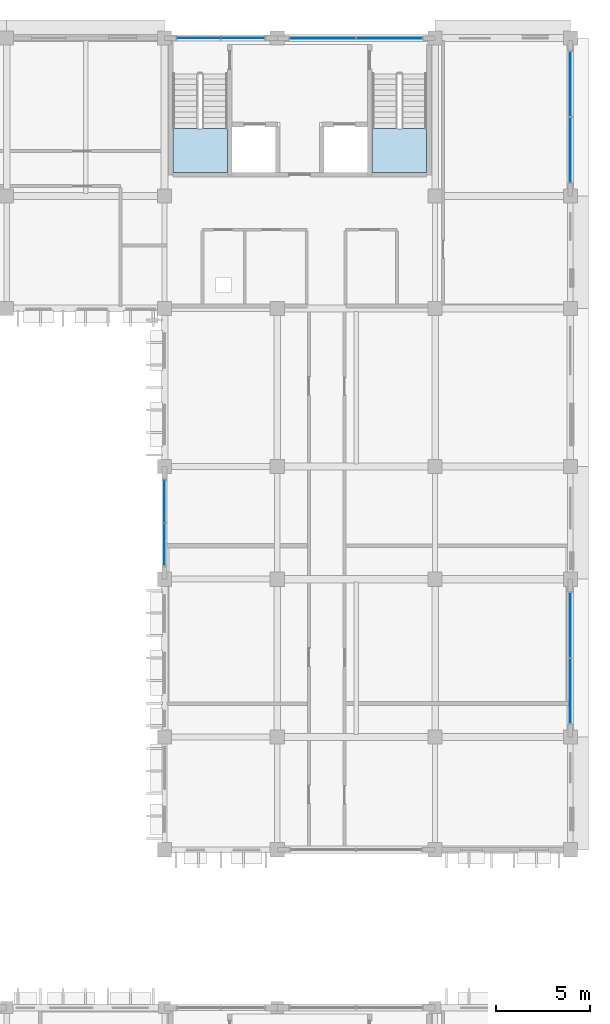
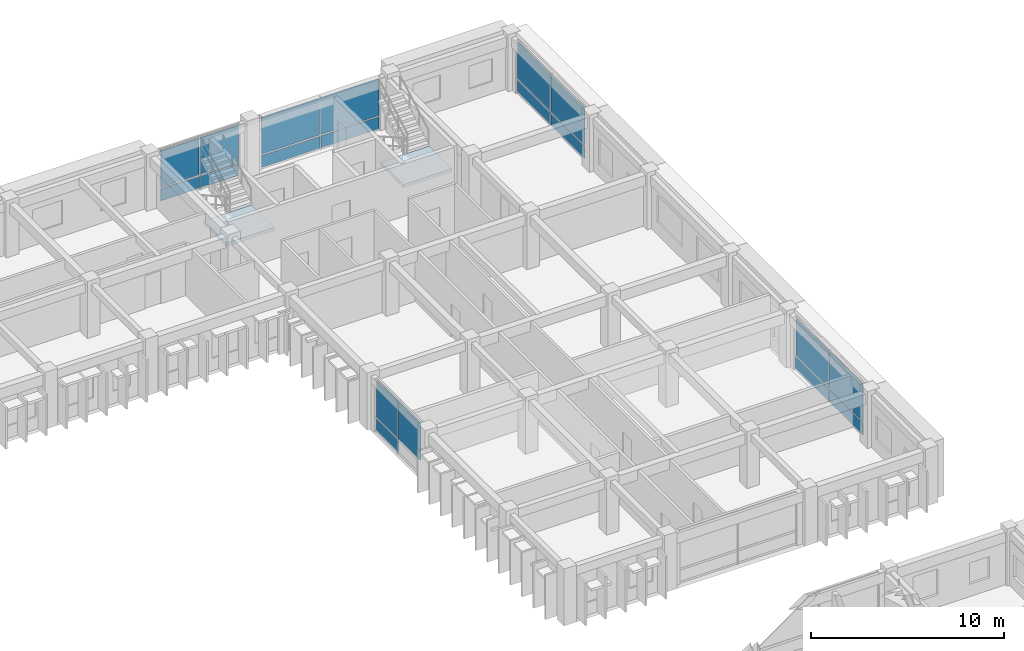
# One storey, part 45 of 88: 19 plates, 2 slabs, 7 elements without a shape of their own.
"""IFC4 building model written with IfcOpenShell, lengths in metres."""

from ifc_helpers import new_model, si_unit, direction, frame, origin, origin_2d, place, context, subcontext, project, spatial, polyline, rectangle, outline, extrude, material, layer, layer_set, type_object, element, aggregate, save


model = new_model("IFC4")

# Units and contexts
model_context = context("Model", 3, precision=1e-05, world=origin(), true_north=direction((0.0, 1.0)))
body_context = subcontext(model_context, "Body", "Model", "MODEL_VIEW")
ifc_project = project(units=[si_unit("LENGTHUNIT", "METRE"), si_unit("AREAUNIT", "SQUARE_METRE"), si_unit("VOLUMEUNIT", "CUBIC_METRE"), si_unit("PLANEANGLEUNIT", "RADIAN"), si_unit("MASSUNIT", "GRAM", prefix="KILO"), si_unit("THERMODYNAMICTEMPERATUREUNIT", "KELVIN")], contexts=[model_context])

# Site, building, storey
site_placement = place(None, origin())
site = spatial("IfcSite", under=ifc_project, at=site_placement, CompositionType="ELEMENT")
building_placement = place(site_placement, origin())
building = spatial("IfcBuilding", under=site, at=building_placement, Name="Thalorik Housing Commons", CompositionType="ELEMENT")
storey_placement = place(building_placement, frame((0.0, 0.0, 4.5)))
storey = spatial("IfcBuildingStorey", under=building, at=storey_placement, Name="L01", CompositionType="ELEMENT", Elevation=4.5)

# Curtain wall, plates
ifc_material_1 = material(Name="Anodised aluminium and solar-control low-E glass", Category="aluminium")
curtain_wall_type_1 = type_object("IfcCurtainWallType", Name="ARC-CW-LOUNGE", PredefinedType="USERDEFINED", material=ifc_material_1)
curtain_wall_1_placement = place(storey_placement, origin())
curtain_wall_1 = element("IfcCurtainWall", 1, at=curtain_wall_1_placement, inside=storey, type_object=curtain_wall_type_1, Name="L01 Curtain Wall CW-RES-L01-B-078", ObjectType="CURTAIN WALL", PredefinedType="USERDEFINED")
ifc_material_2 = material(Name="Cobalt blue enamelled aluminium spandrel panel", Category="aluminium")
ifc_layer_1 = layer(ifc_material_2, 0.0458984375, Name="Cobalt blue enamelled aluminium spandrel panel", Category="aluminium")
ifc_layer_set_1 = layer_set([ifc_layer_1], Name="Cobalt blue enamelled aluminium spandrel panel")
plate_type_1 = type_object("IfcPlateType", Name="ARC-CP-BLU-46", PredefinedType="CURTAIN_PANEL", material=ifc_layer_set_1)
plate_1_placement = place(storey_placement, frame((174.0, 88.85009765625, 0.080078125), z_axis=(0.0, 0.0, 1.0), x_axis=(0.0, 1.0, 0.0)))
plate_1 = element("IfcPlate", 2, at=plate_1_placement, type_object=plate_type_1, Name="CW-RES-L01-B-078 Spandrel Panel 1", PredefinedType="CURTAIN_PANEL", context=body_context, shape_type="SweptSolid", body=[
    extrude(rectangle(XDim=3.43994140625, YDim=0.0458984375, at=origin_2d()), origin(), (0.0, 0.0, 1.0), 0.760009765625),
])
plate_2_placement = place(storey_placement, frame((174.0, 92.35009765625, 0.080078125), z_axis=(0.0, 0.0, 1.0), x_axis=(0.0, 1.0, 0.0)))
plate_2 = element("IfcPlate", 3, at=plate_2_placement, type_object=plate_type_1, Name="CW-RES-L01-B-078 Spandrel Panel 2", PredefinedType="CURTAIN_PANEL", context=body_context, shape_type="SweptSolid", body=[
    extrude(rectangle(XDim=3.43994140625, YDim=0.0458984375, at=origin_2d()), origin(), (0.0, 0.0, 1.0), 0.760009765625),
])

curtain_wall_2_placement = place(storey_placement, origin())
curtain_wall_2 = element("IfcCurtainWall", 4, at=curtain_wall_2_placement, inside=storey, type_object=curtain_wall_type_1, Name="L01 Curtain Wall CW-RES-L01-B-071", ObjectType="CURTAIN WALL", PredefinedType="USERDEFINED")
ifc_material_3 = material(Name="Double solar-control low-E glass", Category="glass")
ifc_layer_2 = layer(ifc_material_3, 0.028076171875, Name="Double solar-control low-E glass", Category="glass")
ifc_layer_set_2 = layer_set([ifc_layer_2], Name="Double solar-control low-E glass")
plate_type_2 = type_object("IfcPlateType", Name="ARC-CP-GLZ-28", PredefinedType="CURTAIN_PANEL", material=ifc_layer_set_2)
plate_3_placement = place(storey_placement, frame((174.0, 117.64990234375, 0.919921875), z_axis=(0.0, 0.0, 1.0), x_axis=(0.0, 1.0, 0.0)))
plate_3 = element("IfcPlate", 5, at=plate_3_placement, type_object=plate_type_2, Name="CW-RES-L01-B-071 Vision Panel 1", PredefinedType="CURTAIN_PANEL", context=body_context, shape_type="SweptSolid", body=[
    extrude(rectangle(XDim=3.43994140625, YDim=0.028076171875, at=origin_2d()), origin(), (0.0, 0.0, 1.0), 2.340087890625),
])
plate_4_placement = place(storey_placement, frame((174.0, 121.14990234375, 0.919921875), z_axis=(0.0, 0.0, 1.0), x_axis=(0.0, 1.0, 0.0)))
plate_4 = element("IfcPlate", 6, at=plate_4_placement, type_object=plate_type_2, Name="CW-RES-L01-B-071 Vision Panel 2", PredefinedType="CURTAIN_PANEL", context=body_context, shape_type="SweptSolid", body=[
    extrude(rectangle(XDim=3.43994140625, YDim=0.028076171875, at=origin_2d()), origin(), (0.0, 0.0, 1.0), 2.340087890625),
])

curtain_wall_type_2 = type_object("IfcCurtainWallType", Name="ARC-CW-CORE", PredefinedType="USERDEFINED", material=ifc_material_1)
curtain_wall_3_placement = place(storey_placement, origin())
curtain_wall_3 = element("IfcCurtainWall", 7, at=curtain_wall_3_placement, inside=storey, type_object=curtain_wall_type_2, Name="L01 Curtain Wall CW-CORE-L01-B-072", ObjectType="CURTAIN WALL", PredefinedType="USERDEFINED")
plate_5_placement = place(storey_placement, frame((164.375, 123.60009765625, 0.919921875), z_axis=(0.0, 0.0, 1.0), x_axis=(-1.0, 0.0, 0.0)))
plate_5 = element("IfcPlate", 8, at=plate_5_placement, type_object=plate_type_2, Name="CW-CORE-L01-B-072 Vision Panel 1", PredefinedType="CURTAIN_PANEL", context=body_context, shape_type="SweptSolid", body=[
    extrude(rectangle(XDim=3.489990234375, YDim=0.028076171875, at=origin_2d()), origin(), (0.0, 0.0, 1.0), 2.340087890625),
])
plate_6_placement = place(storey_placement, frame((160.824951171875, 123.60009765625, 0.919921875), z_axis=(0.0, 0.0, 1.0), x_axis=(-1.0, 0.0, 0.0)))
plate_6 = element("IfcPlate", 9, at=plate_6_placement, type_object=plate_type_2, Name="CW-CORE-L01-B-072 Vision Panel 2", PredefinedType="CURTAIN_PANEL", context=body_context, shape_type="SweptSolid", body=[
    extrude(rectangle(XDim=3.489990234375, YDim=0.028076171875, at=origin_2d()), origin(), (0.0, 0.0, 1.0), 2.340087890625),
])

curtain_wall_4_placement = place(storey_placement, origin())
curtain_wall_4 = element("IfcCurtainWall", 10, at=curtain_wall_4_placement, inside=storey, type_object=curtain_wall_type_2, Name="L01 Curtain Wall CW-CORE-L01-B-073", ObjectType="CURTAIN WALL", PredefinedType="USERDEFINED")
plate_7_placement = place(storey_placement, frame((156.574951171875, 123.60009765625, 0.919921875), z_axis=(0.0, 0.0, 1.0), x_axis=(-1.0, 0.0, 0.0)))
plate_7 = element("IfcPlate", 11, at=plate_7_placement, type_object=plate_type_2, Name="CW-CORE-L01-B-073 Vision Panel 1", PredefinedType="CURTAIN_PANEL", context=body_context, shape_type="SweptSolid", body=[
    extrude(rectangle(XDim=2.2900390625, YDim=0.028076171875, at=origin_2d()), origin(), (0.0, 0.0, 1.0), 2.340087890625),
])
plate_8_placement = place(storey_placement, frame((154.22509765625, 123.60009765625, 0.919921875), z_axis=(0.0, 0.0, 1.0), x_axis=(-1.0, 0.0, 0.0)))
plate_8 = element("IfcPlate", 12, at=plate_8_placement, type_object=plate_type_2, Name="CW-CORE-L01-B-073 Vision Panel 2", PredefinedType="CURTAIN_PANEL", context=body_context, shape_type="SweptSolid", body=[
    extrude(rectangle(XDim=2.2900390625, YDim=0.028076171875, at=origin_2d()), origin(), (0.0, 0.0, 1.0), 2.340087890625),
])

curtain_wall_5_placement = place(storey_placement, origin())
curtain_wall_5 = element("IfcCurtainWall", 13, at=curtain_wall_5_placement, inside=storey, type_object=curtain_wall_type_1, Name="L01 Curtain Wall CW-RES-L01-B-076", ObjectType="CURTAIN WALL", PredefinedType="USERDEFINED")
plate_9_placement = place(storey_placement, frame((152.39990234375, 98.949951171875, 0.919921875), z_axis=(0.0, 0.0, 1.0), x_axis=(0.0, -1.0, 0.0)))
plate_9 = element("IfcPlate", 14, at=plate_9_placement, type_object=plate_type_2, Name="CW-RES-L01-B-076 Vision Panel 1", PredefinedType="CURTAIN_PANEL", context=body_context, shape_type="SweptSolid", body=[
    extrude(rectangle(XDim=2.239990234375, YDim=0.028076171875, at=origin_2d()), origin(), (0.0, 0.0, 1.0), 2.340087890625),
])
plate_10_placement = place(storey_placement, frame((152.39990234375, 96.64990234375, 0.919921875), z_axis=(0.0, 0.0, 1.0), x_axis=(0.0, -1.0, 0.0)))
plate_10 = element("IfcPlate", 15, at=plate_10_placement, type_object=plate_type_2, Name="CW-RES-L01-B-076 Vision Panel 2", PredefinedType="CURTAIN_PANEL", context=body_context, shape_type="SweptSolid", body=[
    extrude(rectangle(XDim=2.239990234375, YDim=0.028076171875, at=origin_2d()), origin(), (0.0, 0.0, 1.0), 2.340087890625),
])

# Plate
plate_11_placement = place(storey_placement, frame((174.0, 88.85009765625, 0.919921875), z_axis=(0.0, 0.0, 1.0), x_axis=(0.0, 1.0, 0.0)))
plate_11 = element("IfcPlate", 16, at=plate_11_placement, type_object=plate_type_2, Name="CW-RES-L01-B-078 Vision Panel 1", PredefinedType="CURTAIN_PANEL", context=body_context, shape_type="SweptSolid", body=[
    extrude(rectangle(XDim=3.43994140625, YDim=0.028076171875, at=origin_2d()), origin(), (0.0, 0.0, 1.0), 2.340087890625),
])

plate_12_placement = place(storey_placement, frame((174.0, 92.35009765625, 0.919921875), z_axis=(0.0, 0.0, 1.0), x_axis=(0.0, 1.0, 0.0)))
plate_12 = element("IfcPlate", 17, at=plate_12_placement, type_object=plate_type_2, Name="CW-RES-L01-B-078 Vision Panel 2", PredefinedType="CURTAIN_PANEL", context=body_context, shape_type="SweptSolid", body=[
    extrude(rectangle(XDim=3.43994140625, YDim=0.028076171875, at=origin_2d()), origin(), (0.0, 0.0, 1.0), 2.340087890625),
])

aggregate(curtain_wall_1, [plate_1, plate_11, plate_2, plate_12])

ifc_material_4 = material(Name="Oxide red enamelled aluminium spandrel panel", Category="aluminium")
ifc_layer_3 = layer(ifc_material_4, 0.0419921875, Name="Oxide red enamelled aluminium spandrel panel", Category="aluminium")
ifc_layer_set_3 = layer_set([ifc_layer_3], Name="Oxide red enamelled aluminium spandrel panel")
plate_type_3 = type_object("IfcPlateType", Name="ARC-CP-RED-42", PredefinedType="CURTAIN_PANEL", material=ifc_layer_set_3)
plate_13_placement = place(storey_placement, frame((174.0, 117.64990234375, 0.080078125), z_axis=(0.0, 0.0, 1.0), x_axis=(0.0, 1.0, 0.0)))
plate_13 = element("IfcPlate", 18, at=plate_13_placement, type_object=plate_type_3, Name="CW-RES-L01-B-071 Spandrel Panel 1", PredefinedType="CURTAIN_PANEL", context=body_context, shape_type="SweptSolid", body=[
    extrude(rectangle(XDim=3.43994140625, YDim=0.0419921875, at=origin_2d()), origin(), (0.0, 0.0, 1.0), 0.760009765625),
])

plate_14_placement = place(storey_placement, frame((174.0, 121.14990234375, 0.080078125), z_axis=(0.0, 0.0, 1.0), x_axis=(0.0, 1.0, 0.0)))
plate_14 = element("IfcPlate", 19, at=plate_14_placement, type_object=plate_type_3, Name="CW-RES-L01-B-071 Spandrel Panel 2", PredefinedType="CURTAIN_PANEL", context=body_context, shape_type="SweptSolid", body=[
    extrude(rectangle(XDim=3.43994140625, YDim=0.0419921875, at=origin_2d()), origin(), (0.0, 0.0, 1.0), 0.760009765625),
])

aggregate(curtain_wall_2, [plate_13, plate_3, plate_14, plate_4])

plate_15_placement = place(storey_placement, frame((156.574951171875, 123.60009765625, 0.080078125), z_axis=(0.0, 0.0, 1.0), x_axis=(-1.0, 0.0, 0.0)))
plate_15 = element("IfcPlate", 20, at=plate_15_placement, type_object=plate_type_3, Name="CW-CORE-L01-B-073 Spandrel Panel 1", PredefinedType="CURTAIN_PANEL", context=body_context, shape_type="SweptSolid", body=[
    extrude(rectangle(XDim=2.2900390625, YDim=0.0419921875, at=origin_2d()), origin(), (0.0, 0.0, 1.0), 0.760009765625),
])

plate_16_placement = place(storey_placement, frame((154.22509765625, 123.60009765625, 0.080078125), z_axis=(0.0, 0.0, 1.0), x_axis=(-1.0, 0.0, 0.0)))
plate_16 = element("IfcPlate", 21, at=plate_16_placement, type_object=plate_type_3, Name="CW-CORE-L01-B-073 Spandrel Panel 2", PredefinedType="CURTAIN_PANEL", context=body_context, shape_type="SweptSolid", body=[
    extrude(rectangle(XDim=2.2900390625, YDim=0.0419921875, at=origin_2d()), origin(), (0.0, 0.0, 1.0), 0.760009765625),
])

aggregate(curtain_wall_4, [plate_15, plate_7, plate_16, plate_8])

plate_17_placement = place(storey_placement, frame((152.39990234375, 98.949951171875, 0.080078125), z_axis=(0.0, 0.0, 1.0), x_axis=(0.0, -1.0, 0.0)))
plate_17 = element("IfcPlate", 22, at=plate_17_placement, type_object=plate_type_3, Name="CW-RES-L01-B-076 Spandrel Panel 1", PredefinedType="CURTAIN_PANEL", context=body_context, shape_type="SweptSolid", body=[
    extrude(rectangle(XDim=2.239990234375, YDim=0.0419921875, at=origin_2d()), origin(), (0.0, 0.0, 1.0), 0.760009765625),
])

aggregate(curtain_wall_5, [plate_17, plate_9, plate_10])

ifc_material_5 = material(Name="Mineral ochre yellow aluminium spandrel panel", Category="aluminium")
ifc_layer_4 = layer(ifc_material_5, 0.050048828125, Name="Mineral ochre yellow aluminium spandrel panel", Category="aluminium")
ifc_layer_set_4 = layer_set([ifc_layer_4], Name="Mineral ochre yellow aluminium spandrel panel")
plate_type_4 = type_object("IfcPlateType", Name="ARC-CP-YEL-50", PredefinedType="CURTAIN_PANEL", material=ifc_layer_set_4)
plate_18_placement = place(storey_placement, frame((164.375, 123.60009765625, 0.080078125), z_axis=(0.0, 0.0, 1.0), x_axis=(-1.0, 0.0, 0.0)))
plate_18 = element("IfcPlate", 23, at=plate_18_placement, type_object=plate_type_4, Name="CW-CORE-L01-B-072 Spandrel Panel 1", PredefinedType="CURTAIN_PANEL", context=body_context, shape_type="SweptSolid", body=[
    extrude(rectangle(XDim=3.489990234375, YDim=0.050048828125, at=origin_2d()), origin(), (0.0, 0.0, 1.0), 0.760009765625),
])

plate_19_placement = place(storey_placement, frame((160.824951171875, 123.60009765625, 0.080078125), z_axis=(0.0, 0.0, 1.0), x_axis=(-1.0, 0.0, 0.0)))
plate_19 = element("IfcPlate", 24, at=plate_19_placement, type_object=plate_type_4, Name="CW-CORE-L01-B-072 Spandrel Panel 2", PredefinedType="CURTAIN_PANEL", context=body_context, shape_type="SweptSolid", body=[
    extrude(rectangle(XDim=3.489990234375, YDim=0.050048828125, at=origin_2d()), origin(), (0.0, 0.0, 1.0), 0.760009765625),
])

aggregate(curtain_wall_3, [plate_18, plate_5, plate_19, plate_6])

# Stair, slab
ifc_material_6 = material(Name="Precast concrete C40/50", Category="concrete")
stair_type = type_object("IfcStairType", Name="ARC-STR-1350-R22", PredefinedType="HALF_TURN_STAIR", material=ifc_material_6)
stair_1_placement = place(storey_placement, origin())
stair_1 = element("IfcStair", 25, at=stair_1_placement, inside=storey, type_object=stair_type, Name="L01 Block B Smoke-Proof Stair 1", PredefinedType="HALF_TURN_STAIR")
ifc_layer_5 = layer(ifc_material_6, 0.199951171875, Name="Precast concrete C40/50", Category="concrete")
ifc_layer_set_5 = layer_set([ifc_layer_5], Name="Precast concrete C40/50")
slab_type = type_object("IfcSlabType", Name="ARC-SLB-STLND-200", PredefinedType="LANDING", material=ifc_layer_set_5)
slab_1_placement = place(storey_placement, frame((0.0, 0.0, 1.60009765625)))
slab_1 = element("IfcSlab", 26, at=slab_1_placement, type_object=slab_type, Name="ST-B1 landing 1", PredefinedType="LANDING", context=body_context, shape_type="SweptSolid", body=[
    extrude(outline(polyline([(152.85009765625, 118.800048828125), (152.85009765625, 116.449951171875), (155.75, 116.449951171875), (155.75, 118.800048828125), (152.85009765625, 118.800048828125)])), origin(), (0.0, 0.0, 1.0), 0.199951171875),
])
aggregate(stair_1, [slab_1])

stair_2_placement = place(storey_placement, origin())
stair_2 = element("IfcStair", 27, at=stair_2_placement, inside=storey, type_object=stair_type, Name="L01 Block B Smoke-Proof Stair 2", PredefinedType="HALF_TURN_STAIR")
slab_2_placement = place(storey_placement, frame((0.0, 0.0, 1.60009765625)))
slab_2 = element("IfcSlab", 28, at=slab_2_placement, type_object=slab_type, Name="ST-B2 landing 1", PredefinedType="LANDING", context=body_context, shape_type="SweptSolid", body=[
    extrude(outline(polyline([(163.449951171875, 118.800048828125), (163.449951171875, 116.449951171875), (166.35009765625, 116.449951171875), (166.35009765625, 118.800048828125), (163.449951171875, 118.800048828125)])), origin(), (0.0, 0.0, 1.0), 0.199951171875),
])
aggregate(stair_2, [slab_2])

save(model, "model.ifc")
